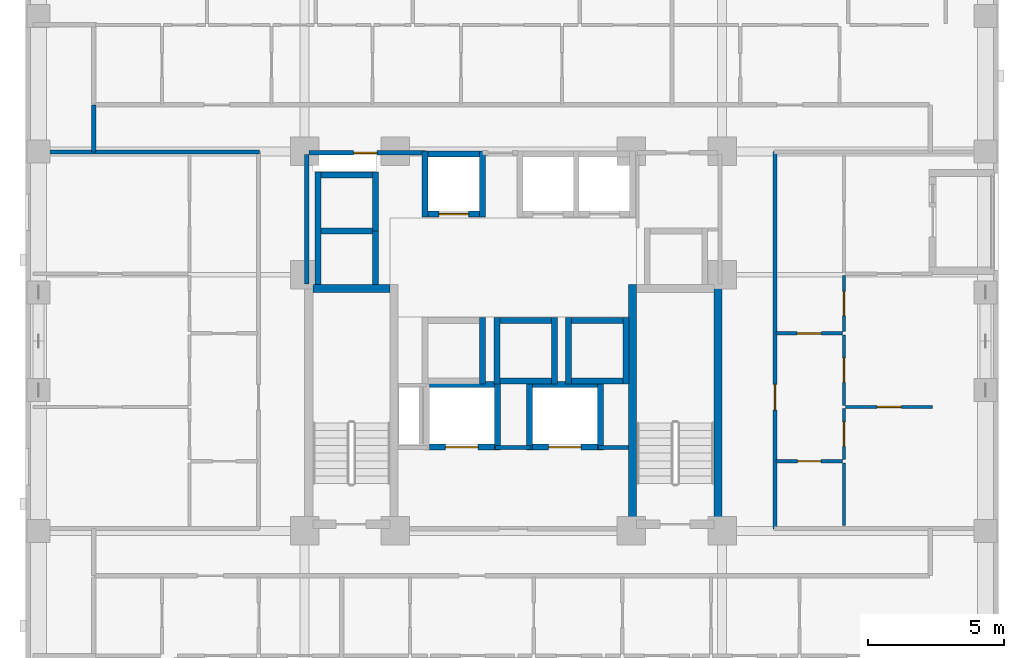
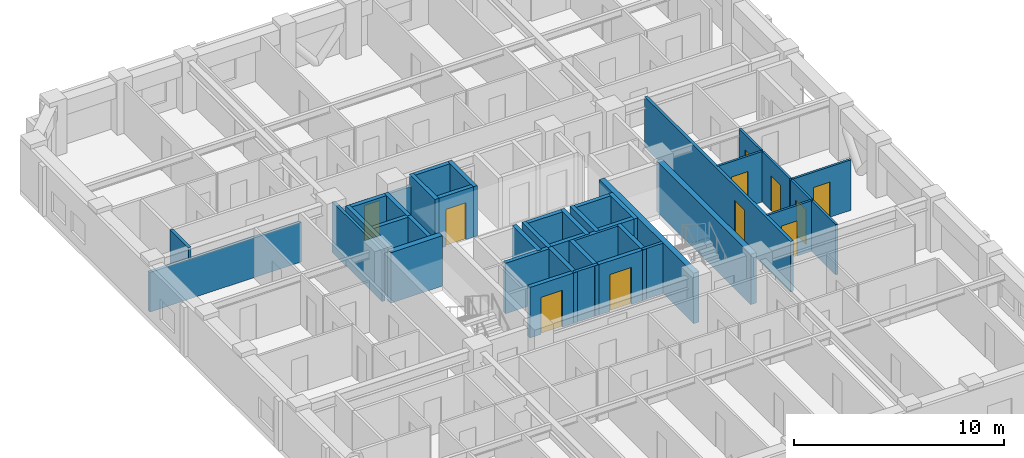
# One storey, part 5 of 12: 42 walls, 11 doors, 11 openings.
"""IFC4 building model written with IfcOpenShell, lengths in metres."""

from ifc_helpers import new_model, si_unit, derived_unit, direction, frame, frame_2d, origin, place, context, subcontext, project, spatial, rectangle, extrude, material, layer, layer_set, type_object, element, fill, save


model = new_model("IFC4")

# Units and contexts
model_context = context("Model", 3, precision=1e-05, world=origin(), true_north=direction((0.0, 1.0)))
body_context = subcontext(model_context, "Body", "Model", "MODEL_VIEW")
ifc_project = project(units=[si_unit("LENGTHUNIT", "METRE"), si_unit("AREAUNIT", "SQUARE_METRE"), si_unit("VOLUMEUNIT", "CUBIC_METRE"), si_unit("PLANEANGLEUNIT", "RADIAN"), si_unit("MASSUNIT", "GRAM", prefix="KILO"), derived_unit("THERMALTRANSMITTANCEUNIT", [(si_unit("MASSUNIT", "GRAM", prefix="KILO"), 1), (si_unit("TIMEUNIT", "SECOND"), -3), (si_unit("THERMODYNAMICTEMPERATUREUNIT", "KELVIN"), -1)])], contexts=[model_context])

# Site, building, storey
site_placement = place(None, origin())
site = spatial("IfcSite", under=ifc_project, at=site_placement, CompositionType="ELEMENT")
building_placement = place(site_placement, origin())
building = spatial("IfcBuilding", under=site, at=building_placement, Name="Korrvale Station Residences", CompositionType="ELEMENT")
storey_placement = place(building_placement, frame((0.0, 0.0, 84.699951171875)))
storey = spatial("IfcBuildingStorey", under=building, at=storey_placement, Name="L23", CompositionType="ELEMENT", Elevation=84.699951171875)

# Walls
ifc_material_1 = material(Name="Concrete C60/75", Category="concrete")
ifc_layer_1 = layer(ifc_material_1, 0.300048828125, Name="Concrete C60/75")
ifc_layer_set_1 = layer_set([ifc_layer_1], Name="Concrete C60/75")
wall_type_1 = type_object("IfcWallType", Name="WAL-CORE-300-C60", PredefinedType="SHEAR", material=ifc_layer_set_1)
wall_1_placement = place(storey_placement, frame((18.10009765625, 23.949951171875, 0.0), z_axis=(0.0, 0.0, 1.0), x_axis=(1.0, 0.0, 0.0)))
element("IfcWall", 1, at=wall_1_placement, inside=storey, type_object=wall_type_1, Name="L23 ST-1 Core Shear Wall North", PredefinedType="SHEAR", context=body_context, shape_type="SweptSolid", body=[
    extrude(rectangle(XDim=2.849853515625, YDim=0.300048828125, at=frame_2d((1.4248046875, 0.0))), origin(), (0.0, 0.0, 1.0), 2.93994140625),
])
for number, where, z_axis, x_axis, name in (
    (2, (29.89990234375, 15.10009765625, 0.0), (0.0, 0.0, 1.0), (0.0, 1.0, 0.0), "L23 ST-2 Core Shear Wall West"),
    (3, (33.050048828125, 15.10009765625, 0.0), (0.0, 0.0, 1.0), (0.0, 1.0, 0.0), "L23 ST-2 Core Shear Wall East"),
):
    element("IfcWall", number, at=place(storey_placement, frame(where, z_axis=z_axis, x_axis=x_axis)), inside=storey, type_object=wall_type_1, Name=name, PredefinedType="SHEAR", context=body_context, shape_type="SweptSolid", body=[
        extrude(rectangle(XDim=9.0, YDim=0.300048828125, at=frame_2d((4.5, 0.0))), origin(), (0.0, 0.0, 1.0), 2.93994140625),
    ])

# Wall, opening, door
ifc_material_2 = material(Name="Acoustic steel-stud gypsum board partition", Category="steel")
ifc_layer_2 = layer(ifc_material_2, 0.1201171875, Name="Acoustic steel-stud gypsum board partition")
ifc_layer_set_2 = layer_set([ifc_layer_2], Name="Acoustic steel-stud gypsum board partition")
wall_type_2 = type_object("IfcWallType", Name="WAL-PART-125", PredefinedType="PARTITIONING", material=ifc_layer_set_2)
wall_2_placement = place(storey_placement, frame((35.18994140625, 22.2900390625, 0.0), z_axis=(0.0, 0.0, 1.0), x_axis=(1.0, 0.0, 0.0)))
wall_2 = element("IfcWall", 4, at=wall_2_placement, inside=storey, type_object=wall_type_2, Name="L23 Suite Partition U06-H02", PredefinedType="PARTITIONING", context=body_context, shape_type="SweptSolid", body=[
    extrude(rectangle(XDim=2.449951171875, YDim=0.1201171875, at=frame_2d((1.22509765625, 0.0))), origin(), (0.0, 0.0, 1.0), 2.93994140625),
])
opening_1_placement = place(wall_2_placement, frame((0.77490234375, 0.0, 0.0)))
opening_1 = element("IfcOpeningElement", 5, at=opening_1_placement, cuts=wall_2, Name="Opening DI-900", PredefinedType="OPENING", context=body_context, shape_type="SweptSolid", body=[
    extrude(rectangle(XDim=0.89990234375, YDim=2.050048828125, at=frame_2d((0.449951171875, 1.02490234375))), frame((0.0, 0.070068359375, 0.0), z_axis=(0.0, -1.0, 0.0), x_axis=(1.0, 0.0, 0.0)), (0.0, 0.0, 1.0), 0.14013671875),
])
ifc_material_3 = material(Name="Painted solid-core timber interior room door", Category="wood")
door_type_1 = type_object("IfcDoorType", Name="DR-INT-900", OperationType="NOTDEFINED", PredefinedType="DOOR", material=ifc_material_3)
door_1_placement = place(opening_1_placement, origin())
door_1 = element("IfcDoor", 6, at=door_1_placement, inside=storey, type_object=door_type_1, Name="L23 Apartment 2BR L23-U06 Wardrobe Storage Room Door", OperationType="SINGLE_SWING_LEFT", OverallHeight=2.050048828125, OverallWidth=0.89990234375, PredefinedType="DOOR", context=body_context, shape_type="SweptSolid", body=[
    extrude(rectangle(XDim=0.89990234375, YDim=2.050048828125, at=frame_2d((0.449951171875, 1.02490234375))), frame((0.0, 0.02490234375, 0.0), z_axis=(0.0, -1.0, 0.0), x_axis=(1.0, 0.0, 0.0)), (0.0, 0.0, 1.0), 0.050048828125),
])
fill(opening_1, door_1)

wall_3_placement = place(storey_placement, frame((37.699951171875, 22.35009765625, 0.0), z_axis=(0.0, 0.0, 1.0), x_axis=(0.0, 1.0, 0.0)))
wall_3 = element("IfcWall", 7, at=wall_3_placement, inside=storey, type_object=wall_type_2, Name="L23 Suite Partition U06-V04", PredefinedType="PARTITIONING", context=body_context, shape_type="SweptSolid", body=[
    extrude(rectangle(XDim=2.081787109375, YDim=0.1201171875, at=frame_2d((1.041015625, 0.0))), origin(), (0.0, 0.0, 1.0), 2.93994140625),
])
opening_2_placement = place(wall_3_placement, frame((0.591064453125, 0.0, 0.0)))
opening_2 = element("IfcOpeningElement", 8, at=opening_2_placement, cuts=wall_3, Name="Opening DI-900", PredefinedType="OPENING", context=body_context, shape_type="SweptSolid", body=[
    extrude(rectangle(XDim=0.89990234375, YDim=2.050048828125, at=frame_2d((0.449951171875, 1.02490234375))), frame((0.0, 0.070068359375, 0.0), z_axis=(0.0, -1.0, 0.0), x_axis=(1.0, 0.0, 0.0)), (0.0, 0.0, 1.0), 0.14013671875),
])
door_2_placement = place(opening_2_placement, origin())
door_2 = element("IfcDoor", 9, at=door_2_placement, inside=storey, type_object=door_type_1, Name="L23 Apartment 2BR L23-U06 Wardrobe Storage Room Door", OperationType="SINGLE_SWING_RIGHT", OverallHeight=2.050048828125, OverallWidth=0.89990234375, PredefinedType="DOOR", context=body_context, shape_type="SweptSolid", body=[
    extrude(rectangle(XDim=0.89990234375, YDim=2.050048828125, at=frame_2d((0.449951171875, 1.02490234375))), frame((0.0, 0.02490234375, 0.0), z_axis=(0.0, -1.0, 0.0), x_axis=(1.0, 0.0, 0.0)), (0.0, 0.0, 1.0), 0.050048828125),
])
fill(opening_2, door_2)

wall_4_placement = place(storey_placement, frame((35.18994140625, 17.570068359375, 0.0), z_axis=(0.0, 0.0, 1.0), x_axis=(1.0, 0.0, 0.0)))
wall_4 = element("IfcWall", 10, at=wall_4_placement, inside=storey, type_object=wall_type_2, Name="L23 Suite Partition U06-H12", PredefinedType="PARTITIONING", context=body_context, shape_type="SweptSolid", body=[
    extrude(rectangle(XDim=2.449951171875, YDim=0.1201171875, at=frame_2d((1.22509765625, 0.0))), origin(), (0.0, 0.0, 1.0), 2.93994140625),
])
opening_3_placement = place(wall_4_placement, frame((0.794921875, 0.0, 0.0)))
opening_3 = element("IfcOpeningElement", 11, at=opening_3_placement, cuts=wall_4, Name="Opening DB-860", PredefinedType="OPENING", context=body_context, shape_type="SweptSolid", body=[
    extrude(rectangle(XDim=0.860107421875, YDim=2.050048828125, at=frame_2d((0.43017578125, 1.02490234375))), frame((0.0, 0.070068359375, 0.0), z_axis=(0.0, -1.0, 0.0), x_axis=(1.0, 0.0, 0.0)), (0.0, 0.0, 1.0), 0.14013671875),
])
ifc_material_4 = material(Name="Moisture-resistant solid-core bathroom door", Category="timber")
door_type_2 = type_object("IfcDoorType", Name="DR-BATH-860", OperationType="NOTDEFINED", PredefinedType="DOOR", material=ifc_material_4)
door_3_placement = place(opening_3_placement, origin())
door_3 = element("IfcDoor", 12, at=door_3_placement, inside=storey, type_object=door_type_2, Name="L23 Apartment 2BR L23-U06 Bathroom Door", OperationType="SINGLE_SWING_RIGHT", OverallHeight=2.050048828125, OverallWidth=0.860107421875, PredefinedType="DOOR", context=body_context, shape_type="SweptSolid", body=[
    extrude(rectangle(XDim=0.860107421875, YDim=2.050048828125, at=frame_2d((0.43017578125, 1.02490234375))), frame((0.0, 0.02490234375, 0.0), z_axis=(0.0, -1.0, 0.0), x_axis=(1.0, 0.0, 0.0)), (0.0, 0.0, 1.0), 0.050048828125),
])
fill(opening_3, door_3)

# Wall
wall_5_placement = place(storey_placement, frame((37.699951171875, 15.2099609375, 0.0), z_axis=(0.0, 0.0, 1.0), x_axis=(0.0, 1.0, 0.0)))
element("IfcWall", 13, at=wall_5_placement, inside=storey, type_object=wall_type_2, Name="L23 Suite Partition U06-V13", PredefinedType="PARTITIONING", context=body_context, shape_type="SweptSolid", body=[
    extrude(rectangle(XDim=2.300048828125, YDim=0.1201171875, at=frame_2d((1.14990234375, 0.0))), origin(), (0.0, 0.0, 1.0), 2.93994140625),
])

# Wall, opening, door
wall_6_placement = place(storey_placement, frame((37.699951171875, 17.6298828125, 0.0), z_axis=(0.0, 0.0, 1.0), x_axis=(0.0, 1.0, 0.0)))
wall_6 = element("IfcWall", 14, at=wall_6_placement, inside=storey, type_object=wall_type_2, Name="L23 Suite Partition U06-V23", PredefinedType="PARTITIONING", context=body_context, shape_type="SweptSolid", body=[
    extrude(rectangle(XDim=1.88818359375, YDim=0.1201171875, at=frame_2d((0.944091796875, 0.0))), origin(), (0.0, 0.0, 1.0), 2.93994140625),
])
opening_4_placement = place(wall_6_placement, frame((0.493896484375, 0.0, 0.0)))
opening_4 = element("IfcOpeningElement", 15, at=opening_4_placement, cuts=wall_6, Name="Opening DI-900", PredefinedType="OPENING", context=body_context, shape_type="SweptSolid", body=[
    extrude(rectangle(XDim=0.89990234375, YDim=2.050048828125, at=frame_2d((0.449951171875, 1.02490234375))), frame((0.0, 0.070068359375, 0.0), z_axis=(0.0, -1.0, 0.0), x_axis=(1.0, 0.0, 0.0)), (0.0, 0.0, 1.0), 0.14013671875),
])
door_4_placement = place(opening_4_placement, origin())
door_4 = element("IfcDoor", 16, at=door_4_placement, inside=storey, type_object=door_type_1, Name="L23 Apartment 2BR L23-U06 Kitchen Door", OperationType="SINGLE_SWING_LEFT", OverallHeight=2.050048828125, OverallWidth=0.89990234375, PredefinedType="DOOR", context=body_context, shape_type="SweptSolid", body=[
    extrude(rectangle(XDim=0.89990234375, YDim=2.050048828125, at=frame_2d((0.449951171875, 1.02490234375))), frame((0.0, 0.02490234375, 0.0), z_axis=(0.0, -1.0, 0.0), x_axis=(1.0, 0.0, 0.0)), (0.0, 0.0, 1.0), 0.050048828125),
])
fill(opening_4, door_4)

wall_7_placement = place(storey_placement, frame((37.699951171875, 19.637939453125, 0.0), z_axis=(0.0, 0.0, 1.0), x_axis=(0.0, 1.0, 0.0)))
wall_7 = element("IfcWall", 17, at=wall_7_placement, inside=storey, type_object=wall_type_2, Name="L23 Suite Partition U06-V24", PredefinedType="PARTITIONING", context=body_context, shape_type="SweptSolid", body=[
    extrude(rectangle(XDim=2.592041015625, YDim=0.1201171875, at=frame_2d((1.2958984375, 0.0))), origin(), (0.0, 0.0, 1.0), 2.93994140625),
])
opening_5_placement = place(wall_7_placement, frame((0.845947265625, 0.0, 0.0)))
opening_5 = element("IfcOpeningElement", 18, at=opening_5_placement, cuts=wall_7, Name="Opening DI-900", PredefinedType="OPENING", context=body_context, shape_type="SweptSolid", body=[
    extrude(rectangle(XDim=0.89990234375, YDim=2.050048828125, at=frame_2d((0.449951171875, 1.02490234375))), frame((0.0, 0.070068359375, 0.0), z_axis=(0.0, -1.0, 0.0), x_axis=(1.0, 0.0, 0.0)), (0.0, 0.0, 1.0), 0.14013671875),
])
door_5_placement = place(opening_5_placement, origin())
door_5 = element("IfcDoor", 19, at=door_5_placement, inside=storey, type_object=door_type_1, Name="L23 Apartment 2BR L23-U06 Kitchen Door", OperationType="SINGLE_SWING_RIGHT", OverallHeight=2.050048828125, OverallWidth=0.89990234375, PredefinedType="DOOR", context=body_context, shape_type="SweptSolid", body=[
    extrude(rectangle(XDim=0.89990234375, YDim=2.050048828125, at=frame_2d((0.449951171875, 1.02490234375))), frame((0.0, 0.02490234375, 0.0), z_axis=(0.0, -1.0, 0.0), x_axis=(1.0, 0.0, 0.0)), (0.0, 0.0, 1.0), 0.050048828125),
])
fill(opening_5, door_5)

wall_8_placement = place(storey_placement, frame((37.760009765625, 19.577880859375, 0.0), z_axis=(0.0, 0.0, 1.0), x_axis=(1.0, 0.0, 0.0)))
wall_8 = element("IfcWall", 20, at=wall_8_placement, inside=storey, type_object=wall_type_2, Name="L23 Suite Partition U06-H34", PredefinedType="PARTITIONING", context=body_context, shape_type="SweptSolid", body=[
    extrude(rectangle(XDim=3.2099609375, YDim=0.1201171875, at=frame_2d((1.60498046875, 0.0))), origin(), (0.0, 0.0, 1.0), 2.93994140625),
])
opening_6_placement = place(wall_8_placement, frame((1.155029296875, 0.0, 0.0)))
opening_6 = element("IfcOpeningElement", 21, at=opening_6_placement, cuts=wall_8, Name="Opening DI-900", PredefinedType="OPENING", context=body_context, shape_type="SweptSolid", body=[
    extrude(rectangle(XDim=0.89990234375, YDim=2.050048828125, at=frame_2d((0.449951171875, 1.02490234375))), frame((0.0, 0.070068359375, 0.0), z_axis=(0.0, -1.0, 0.0), x_axis=(1.0, 0.0, 0.0)), (0.0, 0.0, 1.0), 0.14013671875),
])
door_6_placement = place(opening_6_placement, origin())
door_6 = element("IfcDoor", 22, at=door_6_placement, inside=storey, type_object=door_type_1, Name="L23 Apartment 2BR L23-U06 Bedroom 1 Door", OperationType="SINGLE_SWING_LEFT", OverallHeight=2.050048828125, OverallWidth=0.89990234375, PredefinedType="DOOR", context=body_context, shape_type="SweptSolid", body=[
    extrude(rectangle(XDim=0.89990234375, YDim=2.050048828125, at=frame_2d((0.449951171875, 1.02490234375))), frame((0.0, 0.02490234375, 0.0), z_axis=(0.0, -1.0, 0.0), x_axis=(1.0, 0.0, 0.0)), (0.0, 0.0, 1.0), 0.050048828125),
])
fill(opening_6, door_6)

# Walls
ifc_material_5 = material(Name="Fire-rated twin-stud gypsum and mineral wool shaftwall assembly", Category="gypsum")
ifc_layer_3 = layer(ifc_material_5, 0.159912109375, Name="Fire-rated twin-stud gypsum and mineral wool shaftwall assembly")
ifc_layer_set_3 = layer_set([ifc_layer_3], Name="Fire-rated twin-stud gypsum and mineral wool shaftwall assembly")
wall_type_3 = type_object("IfcWallType", Name="WAL-PART-200", PredefinedType="PARTITIONING", material=ifc_layer_set_3)
wall_9_placement = place(storey_placement, frame((24.85009765625, 18.080078125, 0.0), z_axis=(0.0, 0.0, 1.0), x_axis=(1.0, 0.0, 0.0)))
element("IfcWall", 23, at=wall_9_placement, inside=storey, type_object=wall_type_3, Name="L23 Core Partition CW-FFL-N2", PredefinedType="PARTITIONING", context=body_context, shape_type="SweptSolid", body=[
    extrude(rectangle(XDim=1.2998046875, YDim=0.159912109375, at=frame_2d((0.64990234375, 0.0))), origin(), (0.0, 0.0, 1.0), 2.93994140625),
])
wall_10_placement = place(storey_placement, frame((28.64990234375, 18.080078125, 0.0), z_axis=(0.0, 0.0, 1.0), x_axis=(1.0, 0.0, 0.0)))
element("IfcWall", 24, at=wall_10_placement, inside=storey, type_object=wall_type_3, Name="L23 Core Partition CW-FFL-N3", PredefinedType="PARTITIONING", context=body_context, shape_type="SweptSolid", body=[
    extrude(rectangle(XDim=1.10009765625, YDim=0.159912109375, at=frame_2d((0.550048828125, 0.0))), origin(), (0.0, 0.0, 1.0), 2.93994140625),
])
wall_11_placement = place(storey_placement, frame((17.8798828125, 24.1201171875, 0.0), z_axis=(0.0, 0.0, 1.0), x_axis=(0.0, 1.0, 0.0)))
element("IfcWall", 25, at=wall_11_placement, inside=storey, type_object=wall_type_3, Name="L23 Core Partition CW-W-N", PredefinedType="PARTITIONING", context=body_context, shape_type="SweptSolid", body=[
    extrude(rectangle(XDim=4.759765625, YDim=0.159912109375, at=frame_2d((2.3798828125, 0.0))), origin(), (0.0, 0.0, 1.0), 2.93994140625),
])

# Wall, opening, door
wall_12_placement = place(storey_placement, frame((17.9599609375, 28.949951171875, 0.0), z_axis=(0.0, 0.0, 1.0), x_axis=(1.0, 0.0, 0.0)))
wall_12 = element("IfcWall", 26, at=wall_12_placement, inside=storey, type_object=wall_type_3, Name="L23 Core Partition CW-NW", PredefinedType="PARTITIONING", context=body_context, shape_type="SweptSolid", body=[
    extrude(rectangle(XDim=4.2900390625, YDim=0.159912109375, at=frame_2d((2.14501953125, 0.0))), origin(), (0.0, 0.0, 1.0), 2.30908203125),
])
opening_7_placement = place(wall_12_placement, frame((1.64501953125, 0.0, 0.0)))
opening_7 = element("IfcOpeningElement", 27, at=opening_7_placement, cuts=wall_12, Name="Opening DB-860", PredefinedType="OPENING", context=body_context, shape_type="SweptSolid", body=[
    extrude(rectangle(XDim=0.860107421875, YDim=2.050048828125, at=frame_2d((0.43017578125, 1.02490234375))), frame((0.0, 0.08984375, 0.0), z_axis=(0.0, -1.0, 0.0), x_axis=(1.0, 0.0, 0.0)), (0.0, 0.0, 1.0), 0.179931640625),
])
door_7_placement = place(opening_7_placement, origin())
door_7 = element("IfcDoor", 28, at=door_7_placement, inside=storey, type_object=door_type_2, Name="L23 Electrical Riser Access Door", OperationType="SINGLE_SWING_RIGHT", OverallHeight=2.050048828125, OverallWidth=0.860107421875, PredefinedType="DOOR", context=body_context, shape_type="SweptSolid", body=[
    extrude(rectangle(XDim=0.860107421875, YDim=2.050048828125, at=frame_2d((0.43017578125, 1.02490234375))), frame((0.0, 0.02490234375, 0.0), z_axis=(0.0, -1.0, 0.0), x_axis=(1.0, 0.0, 0.0)), (0.0, 0.0, 1.0), 0.050048828125),
])
fill(opening_7, door_7)

# Walls
wall_13_placement = place(storey_placement, frame((10.02001953125, 28.97998046875, 0.0), z_axis=(0.0, 0.0, 1.0), x_axis=(0.0, 1.0, 0.0)))
element("IfcWall", 29, at=wall_13_placement, inside=storey, type_object=wall_type_3, Name="L23 Corridor North West Cap", PredefinedType="PARTITIONING", context=body_context, shape_type="SweptSolid", body=[
    extrude(rectangle(XDim=1.739990234375, YDim=0.159912109375, at=frame_2d((0.8701171875, 0.0))), origin(), (0.0, 0.0, 1.0), 2.93994140625),
])
wall_14_placement = place(storey_placement, frame((7.780029296875, 28.97998046875, 0.0), z_axis=(0.0, 0.0, 1.0), x_axis=(1.0, 0.0, 0.0)))
element("IfcWall", 30, at=wall_14_placement, inside=storey, type_object=wall_type_3, Name="L23 West Wing North Corridor Wall", PredefinedType="PARTITIONING", context=body_context, shape_type="SweptSolid", body=[
    extrude(rectangle(XDim=8.35986328125, YDim=0.159912109375, at=frame_2d((4.179931640625, 0.0))), origin(), (0.0, 0.0, 1.0), 2.30908203125),
])

# Wall, opening, door
wall_15_placement = place(storey_placement, frame((35.14990234375, 15.070068359375, 0.0), z_axis=(0.0, 0.0, 1.0), x_axis=(0.0, 1.0, 0.0)))
wall_15 = element("IfcWall", 31, at=wall_15_placement, inside=storey, type_object=wall_type_3, Name="L23 Rated Corridor Wall E", PredefinedType="PARTITIONING", context=body_context, shape_type="SweptSolid", body=[
    extrude(rectangle(XDim=13.929931640625, YDim=0.159912109375, at=frame_2d((6.96484375, 0.0))), origin(), (0.0, 0.0, 1.0), 2.93994140625),
])
opening_8_placement = place(wall_15_placement, frame((4.385009765625, 0.0, 0.0)))
opening_8 = element("IfcOpeningElement", 32, at=opening_8_placement, cuts=wall_15, Name="Opening UD-950", PredefinedType="OPENING", context=body_context, shape_type="SweptSolid", body=[
    extrude(rectangle(XDim=0.949951171875, YDim=2.10009765625, at=frame_2d((0.47509765625, 1.050048828125))), frame((0.0, 0.08984375, 0.0), z_axis=(0.0, -1.0, 0.0), x_axis=(1.0, 0.0, 0.0)), (0.0, 0.0, 1.0), 0.179931640625),
])
ifc_material_6 = material(Name="Solid-core acoustic oak apartment entrance door", Category="timber")
door_type_3 = type_object("IfcDoorType", Name="DR-UNIT-950", OperationType="NOTDEFINED", PredefinedType="DOOR", material=ifc_material_6)
door_8_placement = place(opening_8_placement, origin())
door_8 = element("IfcDoor", 33, at=door_8_placement, inside=storey, type_object=door_type_3, Name="L23 Apartment L23-U06 Entrance Door", OperationType="SINGLE_SWING_RIGHT", OverallHeight=2.10009765625, OverallWidth=0.949951171875, PredefinedType="DOOR", context=body_context, shape_type="SweptSolid", body=[
    extrude(rectangle(XDim=0.949951171875, YDim=2.10009765625, at=frame_2d((0.47509765625, 1.050048828125))), frame((0.0, 0.02490234375, 0.0), z_axis=(0.0, -1.0, 0.0), x_axis=(1.0, 0.0, 0.0)), (0.0, 0.0, 1.0), 0.050048828125),
])
fill(opening_8, door_8)

ifc_layer_4 = layer(ifc_material_1, 0.219970703125, Name="Concrete C60/75")
ifc_layer_set_4 = layer_set([ifc_layer_4], Name="Concrete C60/75")
wall_type_4 = type_object("IfcWallType", Name="WAL-SHAFT-220-C60", PredefinedType="SHEAR", material=ifc_layer_set_4)
wall_16_placement = place(storey_placement, frame((22.35009765625, 26.68994140625, 0.0), z_axis=(0.0, 0.0, 1.0), x_axis=(1.0, 0.0, 0.0)))
wall_16 = element("IfcWall", 34, at=wall_16_placement, inside=storey, type_object=wall_type_4, Name="L23 Elevator PL-1 Hoistway Wall South", PredefinedType="SHEAR", context=body_context, shape_type="SweptSolid", body=[
    extrude(rectangle(XDim=1.89990234375, YDim=0.219970703125, at=frame_2d((0.949951171875, 0.0))), origin(), (0.0, 0.0, 1.0), 2.93994140625),
])
opening_9_placement = place(wall_16_placement, frame((0.39990234375, 0.0, 0.0)))
opening_9 = element("IfcOpeningElement", 35, at=opening_9_placement, cuts=wall_16, Name="Opening LD-1100", PredefinedType="OPENING", context=body_context, shape_type="SweptSolid", body=[
    extrude(rectangle(XDim=1.10009765625, YDim=2.14990234375, at=frame_2d((0.550048828125, 1.074951171875))), frame((0.0, 0.1201171875, 0.0), z_axis=(0.0, -1.0, 0.0), x_axis=(1.0, 0.0, 0.0)), (0.0, 0.0, 1.0), 0.239990234375),
])
ifc_material_7 = material(Name="Brushed stainless-steel elevator landing sliding door", Category="steel")
door_type_4 = type_object("IfcDoorType", Name="DR-LIFT-1100", OperationType="SLIDING_TO_LEFT", PredefinedType="DOOR", material=ifc_material_7)
door_9_placement = place(opening_9_placement, origin())
door_9 = element("IfcDoor", 36, at=door_9_placement, inside=storey, type_object=door_type_4, Name="L23 Elevator PL-1 Sliding Landing Door", OperationType="SLIDING_TO_LEFT", OverallHeight=2.14990234375, OverallWidth=1.10009765625, PredefinedType="DOOR", context=body_context, shape_type="SweptSolid", body=[
    extrude(rectangle(XDim=1.10009765625, YDim=2.14990234375, at=frame_2d((0.550048828125, 1.074951171875))), frame((0.0, 0.02490234375, 0.0), z_axis=(0.0, -1.0, 0.0), x_axis=(1.0, 0.0, 0.0)), (0.0, 0.0, 1.0), 0.050048828125),
])
fill(opening_9, door_9)

# Walls
wall_17_placement = place(storey_placement, frame((22.35009765625, 28.909912109375, 0.0), z_axis=(0.0, 0.0, 1.0), x_axis=(1.0, 0.0, 0.0)))
element("IfcWall", 37, at=wall_17_placement, inside=storey, type_object=wall_type_4, Name="L23 Elevator PL-1 Hoistway Wall North", PredefinedType="SHEAR", context=body_context, shape_type="SweptSolid", body=[
    extrude(rectangle(XDim=1.89990234375, YDim=0.219970703125, at=frame_2d((0.949951171875, 0.0))), origin(), (0.0, 0.0, 1.0), 2.93994140625),
])
for number, where, z_axis, x_axis, name in (
    (38, (22.239990234375, 26.580078125, 0.0), (0.0, 0.0, 1.0), (0.0, 1.0, 0.0), "L23 Elevator PL-1 Hoistway Wall West"),
    (39, (24.360107421875, 26.580078125, 0.0), (0.0, 0.0, 1.0), (0.0, 1.0, 0.0), "L23 Elevator PL-1 Hoistway Wall East"),
):
    element("IfcWall", number, at=place(storey_placement, frame(where, z_axis=z_axis, x_axis=x_axis)), inside=storey, type_object=wall_type_4, Name=name, PredefinedType="SHEAR", context=body_context, shape_type="SweptSolid", body=[
        extrude(rectangle(XDim=2.43994140625, YDim=0.219970703125, at=frame_2d((1.219970703125, 0.0))), origin(), (0.0, 0.0, 1.0), 2.93994140625),
    ])
wall_18_placement = place(storey_placement, frame((24.360107421875, 20.429931640625, 0.0), z_axis=(0.0, 0.0, 1.0), x_axis=(0.0, 1.0, 0.0)))
element("IfcWall", 40, at=wall_18_placement, inside=storey, type_object=wall_type_4, Name="L23 Elevator PM-1 Hoistway Wall East", PredefinedType="SHEAR", context=body_context, shape_type="SweptSolid", body=[
    extrude(rectangle(XDim=2.440185546875, YDim=0.219970703125, at=frame_2d((1.22021484375, 0.0))), origin(), (0.0, 0.0, 1.0), 2.93994140625),
])
for number, where, z_axis, x_axis, name in (
    (41, (25.0, 20.5400390625, 0.0), (0.0, 0.0, 1.0), (1.0, 0.0, 0.0), "L23 Elevator PM-2 Hoistway Wall South"),
    (42, (25.0, 22.760009765625, 0.0), (0.0, 0.0, 1.0), (1.0, 0.0, 0.0), "L23 Elevator PM-2 Hoistway Wall North"),
):
    element("IfcWall", number, at=place(storey_placement, frame(where, z_axis=z_axis, x_axis=x_axis)), inside=storey, type_object=wall_type_4, Name=name, PredefinedType="SHEAR", context=body_context, shape_type="SweptSolid", body=[
        extrude(rectangle(XDim=1.89990234375, YDim=0.219970703125, at=frame_2d((0.949951171875, 0.0))), origin(), (0.0, 0.0, 1.0), 2.93994140625),
    ])
for number, where, z_axis, x_axis, name in (
    (43, (24.889892578125, 20.429931640625, 0.0), (0.0, 0.0, 1.0), (0.0, 1.0, 0.0), "L23 Elevator PM-2 Hoistway Wall West"),
    (44, (27.010009765625, 20.429931640625, 0.0), (0.0, 0.0, 1.0), (0.0, 1.0, 0.0), "L23 Elevator PM-2 Hoistway Wall East"),
):
    element("IfcWall", number, at=place(storey_placement, frame(where, z_axis=z_axis, x_axis=x_axis)), inside=storey, type_object=wall_type_4, Name=name, PredefinedType="SHEAR", context=body_context, shape_type="SweptSolid", body=[
        extrude(rectangle(XDim=2.440185546875, YDim=0.219970703125, at=frame_2d((1.22021484375, 0.0))), origin(), (0.0, 0.0, 1.0), 2.93994140625),
    ])
for number, where, z_axis, x_axis, name in (
    (45, (27.64990234375, 20.5400390625, 0.0), (0.0, 0.0, 1.0), (1.0, 0.0, 0.0), "L23 Elevator PM-3 Hoistway Wall South"),
    (46, (27.64990234375, 22.760009765625, 0.0), (0.0, 0.0, 1.0), (1.0, 0.0, 0.0), "L23 Elevator PM-3 Hoistway Wall North"),
):
    element("IfcWall", number, at=place(storey_placement, frame(where, z_axis=z_axis, x_axis=x_axis)), inside=storey, type_object=wall_type_4, Name=name, PredefinedType="SHEAR", context=body_context, shape_type="SweptSolid", body=[
        extrude(rectangle(XDim=1.900146484375, YDim=0.219970703125, at=frame_2d((0.9501953125, 0.0))), origin(), (0.0, 0.0, 1.0), 2.93994140625),
    ])
for number, where, z_axis, x_axis, name in (
    (47, (27.5400390625, 20.429931640625, 0.0), (0.0, 0.0, 1.0), (0.0, 1.0, 0.0), "L23 Elevator PM-3 Hoistway Wall West"),
    (48, (29.659912109375, 20.429931640625, 0.0), (0.0, 0.0, 1.0), (0.0, 1.0, 0.0), "L23 Elevator PM-3 Hoistway Wall East"),
):
    element("IfcWall", number, at=place(storey_placement, frame(where, z_axis=z_axis, x_axis=x_axis)), inside=storey, type_object=wall_type_4, Name=name, PredefinedType="SHEAR", context=body_context, shape_type="SweptSolid", body=[
        extrude(rectangle(XDim=2.440185546875, YDim=0.219970703125, at=frame_2d((1.22021484375, 0.0))), origin(), (0.0, 0.0, 1.0), 2.93994140625),
    ])
wall_19_placement = place(storey_placement, frame((18.2900390625, 24.10009765625, 0.0), z_axis=(0.0, 0.0, 1.0), x_axis=(0.0, 1.0, 0.0)))
element("IfcWall", 49, at=wall_19_placement, inside=storey, type_object=wall_type_4, Name="L23 Elevator PH-1 Hoistway Wall West", PredefinedType="SHEAR", context=body_context, shape_type="SweptSolid", body=[
    extrude(rectangle(XDim=4.139892578125, YDim=0.219970703125, at=frame_2d((2.06982421875, 0.0))), origin(), (0.0, 0.0, 1.0), 2.93994140625),
])
wall_20_placement = place(storey_placement, frame((20.409912109375, 24.10009765625, 0.0), z_axis=(0.0, 0.0, 1.0), x_axis=(0.0, 1.0, 0.0)))
element("IfcWall", 50, at=wall_20_placement, inside=storey, type_object=wall_type_4, Name="L23 Elevator PH-1 Hoistway Wall East", PredefinedType="SHEAR", context=body_context, shape_type="SweptSolid", body=[
    extrude(rectangle(XDim=1.9599609375, YDim=0.219970703125, at=frame_2d((0.97998046875, 0.0))), origin(), (0.0, 0.0, 1.0), 2.93994140625),
])
for number, where, z_axis, x_axis, name in (
    (51, (18.39990234375, 26.06005859375, 0.0), (0.0, 0.0, 1.0), (1.0, 0.0, 0.0), "L23 Elevator PH-2 Hoistway Wall South"),
    (52, (18.39990234375, 28.1298828125, 0.0), (0.0, 0.0, 1.0), (1.0, 0.0, 0.0), "L23 Elevator PH-2 Hoistway Wall North"),
):
    element("IfcWall", number, at=place(storey_placement, frame(where, z_axis=z_axis, x_axis=x_axis)), inside=storey, type_object=wall_type_4, Name=name, PredefinedType="SHEAR", context=body_context, shape_type="SweptSolid", body=[
        extrude(rectangle(XDim=1.900146484375, YDim=0.219970703125, at=frame_2d((0.9501953125, 0.0))), origin(), (0.0, 0.0, 1.0), 2.93994140625),
    ])
wall_21_placement = place(storey_placement, frame((20.409912109375, 26.06005859375, 0.0), z_axis=(0.0, 0.0, 1.0), x_axis=(0.0, 1.0, 0.0)))
element("IfcWall", 53, at=wall_21_placement, inside=storey, type_object=wall_type_4, Name="L23 Elevator PH-2 Hoistway Wall East", PredefinedType="SHEAR", context=body_context, shape_type="SweptSolid", body=[
    extrude(rectangle(XDim=2.179931640625, YDim=0.219970703125, at=frame_2d((1.08984375, 0.0))), origin(), (0.0, 0.0, 1.0), 2.93994140625),
])

# Wall, opening, door
wall_22_placement = place(storey_placement, frame((22.39990234375, 18.090087890625, 0.0), z_axis=(0.0, 0.0, 1.0), x_axis=(1.0, 0.0, 0.0)))
wall_22 = element("IfcWall", 54, at=wall_22_placement, inside=storey, type_object=wall_type_4, Name="L23 Elevator FFL-1 Hoistway Wall South", PredefinedType="SHEAR", context=body_context, shape_type="SweptSolid", body=[
    extrude(rectangle(XDim=2.400146484375, YDim=0.219970703125, at=frame_2d((1.2001953125, 0.0))), origin(), (0.0, 0.0, 1.0), 2.93994140625),
])
opening_10_placement = place(wall_22_placement, frame((0.60009765625, 0.0, 0.0)))
opening_10 = element("IfcOpeningElement", 55, at=opening_10_placement, cuts=wall_22, Name="Opening LD-FF1200", PredefinedType="OPENING", context=body_context, shape_type="SweptSolid", body=[
    extrude(rectangle(XDim=1.199951171875, YDim=2.14990234375, at=frame_2d((0.60009765625, 1.074951171875))), frame((0.0, 0.1201171875, 0.0), z_axis=(0.0, -1.0, 0.0), x_axis=(1.0, 0.0, 0.0)), (0.0, 0.0, 1.0), 0.239990234375),
])
ifc_material_8 = material(Name="Stainless-steel firefighter elevator landing sliding door", Category="steel")
door_type_5 = type_object("IfcDoorType", Name="DR-LIFT-FF1200", OperationType="SLIDING_TO_LEFT", PredefinedType="DOOR", material=ifc_material_8)
door_10_placement = place(opening_10_placement, origin())
door_10 = element("IfcDoor", 56, at=door_10_placement, inside=storey, type_object=door_type_5, Name="L23 Elevator FFL-1 Sliding Landing Door", OperationType="SLIDING_TO_LEFT", OverallHeight=2.14990234375, OverallWidth=1.199951171875, PredefinedType="DOOR", context=body_context, shape_type="SweptSolid", body=[
    extrude(rectangle(XDim=1.199951171875, YDim=2.14990234375, at=frame_2d((0.60009765625, 1.074951171875))), frame((0.0, 0.02490234375, 0.0), z_axis=(0.0, -1.0, 0.0), x_axis=(1.0, 0.0, 0.0)), (0.0, 0.0, 1.0), 0.050048828125),
])
fill(opening_10, door_10)

# Walls
wall_23_placement = place(storey_placement, frame((22.39990234375, 20.409912109375, 0.0), z_axis=(0.0, 0.0, 1.0), x_axis=(1.0, 0.0, 0.0)))
element("IfcWall", 57, at=wall_23_placement, inside=storey, type_object=wall_type_4, Name="L23 Elevator FFL-1 Hoistway Wall North", PredefinedType="SHEAR", context=body_context, shape_type="SweptSolid", body=[
    extrude(rectangle(XDim=2.400146484375, YDim=0.219970703125, at=frame_2d((1.2001953125, 0.0))), origin(), (0.0, 0.0, 1.0), 2.93994140625),
])
wall_24_placement = place(storey_placement, frame((24.909912109375, 17.97998046875, 0.0), z_axis=(0.0, 0.0, 1.0), x_axis=(0.0, 1.0, 0.0)))
element("IfcWall", 58, at=wall_24_placement, inside=storey, type_object=wall_type_4, Name="L23 Elevator FFL-1 Hoistway Wall East", PredefinedType="SHEAR", context=body_context, shape_type="SweptSolid", body=[
    extrude(rectangle(XDim=2.5400390625, YDim=0.219970703125, at=frame_2d((1.27001953125, 0.0))), origin(), (0.0, 0.0, 1.0), 2.93994140625),
])

# Wall, opening, door
wall_25_placement = place(storey_placement, frame((26.199951171875, 18.090087890625, 0.0), z_axis=(0.0, 0.0, 1.0), x_axis=(1.0, 0.0, 0.0)))
wall_25 = element("IfcWall", 59, at=wall_25_placement, inside=storey, type_object=wall_type_4, Name="L23 Elevator FFL-2 Hoistway Wall South", PredefinedType="SHEAR", context=body_context, shape_type="SweptSolid", body=[
    extrude(rectangle(XDim=2.400146484375, YDim=0.219970703125, at=frame_2d((1.2001953125, 0.0))), origin(), (0.0, 0.0, 1.0), 2.93994140625),
])
opening_11_placement = place(wall_25_placement, frame((0.60009765625, 0.0, 0.0)))
opening_11 = element("IfcOpeningElement", 60, at=opening_11_placement, cuts=wall_25, Name="Opening LD-FF1200", PredefinedType="OPENING", context=body_context, shape_type="SweptSolid", body=[
    extrude(rectangle(XDim=1.199951171875, YDim=2.14990234375, at=frame_2d((0.60009765625, 1.074951171875))), frame((0.0, 0.1201171875, 0.0), z_axis=(0.0, -1.0, 0.0), x_axis=(1.0, 0.0, 0.0)), (0.0, 0.0, 1.0), 0.239990234375),
])
door_11_placement = place(opening_11_placement, origin())
door_11 = element("IfcDoor", 61, at=door_11_placement, inside=storey, type_object=door_type_5, Name="L23 Elevator FFL-2 Sliding Landing Door", OperationType="SLIDING_TO_LEFT", OverallHeight=2.14990234375, OverallWidth=1.199951171875, PredefinedType="DOOR", context=body_context, shape_type="SweptSolid", body=[
    extrude(rectangle(XDim=1.199951171875, YDim=2.14990234375, at=frame_2d((0.60009765625, 1.074951171875))), frame((0.0, 0.02490234375, 0.0), z_axis=(0.0, -1.0, 0.0), x_axis=(1.0, 0.0, 0.0)), (0.0, 0.0, 1.0), 0.050048828125),
])
fill(opening_11, door_11)

# Walls
wall_26_placement = place(storey_placement, frame((26.199951171875, 20.409912109375, 0.0), z_axis=(0.0, 0.0, 1.0), x_axis=(1.0, 0.0, 0.0)))
element("IfcWall", 62, at=wall_26_placement, inside=storey, type_object=wall_type_4, Name="L23 Elevator FFL-2 Hoistway Wall North", PredefinedType="SHEAR", context=body_context, shape_type="SweptSolid", body=[
    extrude(rectangle(XDim=2.400146484375, YDim=0.219970703125, at=frame_2d((1.2001953125, 0.0))), origin(), (0.0, 0.0, 1.0), 2.93994140625),
])
for number, where, z_axis, x_axis, name in (
    (63, (26.090087890625, 17.97998046875, 0.0), (0.0, 0.0, 1.0), (0.0, 1.0, 0.0), "L23 Elevator FFL-2 Hoistway Wall West"),
    (64, (28.7099609375, 17.97998046875, 0.0), (0.0, 0.0, 1.0), (0.0, 1.0, 0.0), "L23 Elevator FFL-2 Hoistway Wall East"),
):
    element("IfcWall", number, at=place(storey_placement, frame(where, z_axis=z_axis, x_axis=x_axis)), inside=storey, type_object=wall_type_4, Name=name, PredefinedType="SHEAR", context=body_context, shape_type="SweptSolid", body=[
        extrude(rectangle(XDim=2.5400390625, YDim=0.219970703125, at=frame_2d((1.27001953125, 0.0))), origin(), (0.0, 0.0, 1.0), 2.93994140625),
    ])

save(model, "model.ifc")
